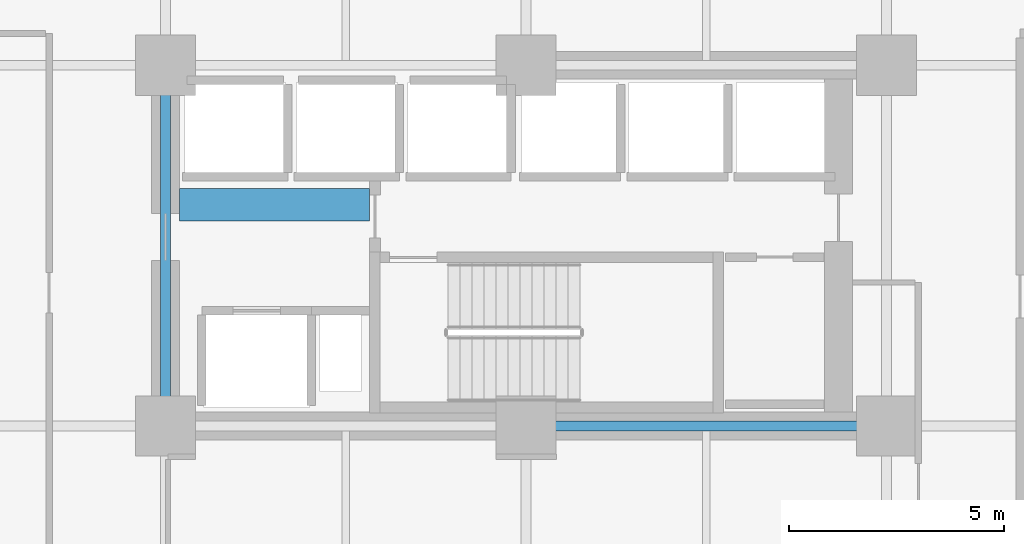
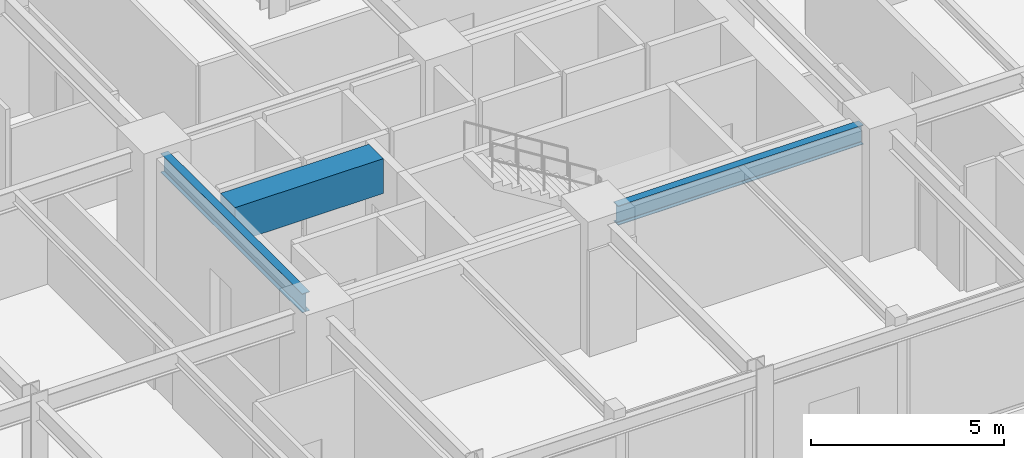
# One storey, part 5 of 24: 3 beams.
"""IFC4 building model written with IfcOpenShell, lengths in metres."""

from ifc_helpers import new_model, si_unit, direction, frame, origin, origin_2d, place, context, subcontext, project, spatial, rectangle, i_section, extrude, material, material_profile, profile_set, type_object, element, save


model = new_model("IFC4")

# Units and contexts
model_context = context("Model", 3, precision=1e-05, world=origin(), true_north=direction((0.0, 1.0)))
body_context = subcontext(model_context, "Body", "Model", "MODEL_VIEW")
ifc_project = project(units=[si_unit("LENGTHUNIT", "METRE"), si_unit("AREAUNIT", "SQUARE_METRE"), si_unit("VOLUMEUNIT", "CUBIC_METRE"), si_unit("PLANEANGLEUNIT", "RADIAN"), si_unit("MASSUNIT", "GRAM", prefix="KILO")], contexts=[model_context])

# Site, building, storey
site_placement = place(None, origin())
site = spatial("IfcSite", under=ifc_project, at=site_placement, CompositionType="ELEMENT")
building_placement = place(site_placement, origin())
building = spatial("IfcBuilding", under=site, at=building_placement, Name="Nerrivon Quay Data Exchange", CompositionType="ELEMENT")
storey_placement = place(building_placement, frame((0.0, 0.0, 33.199951171875)))
storey = spatial("IfcBuildingStorey", under=building, at=storey_placement, Name="L07", CompositionType="ELEMENT", Elevation=33.199951171875)

# Beams
ifc_material_1 = material(Name="Concrete S65 (65 MPa)", Category="concrete")
ifc_material_profile_1 = material_profile(ifc_material_1, rectangle(XDim=0.75, YDim=1.10009765625, at=origin_2d()), Name="RC-CB-750x1100")
ifc_profile_set_1 = profile_set([ifc_material_profile_1], Name="Concrete S65 (65 MPa)")
beam_type_1 = type_object("IfcBeamType", Name="BM-CB1-750x1100", PredefinedType="LINTEL", material=ifc_profile_set_1)
beam_1_placement = place(storey_placement, frame((17.125, 13.550048828125, 3.375), z_axis=(1.0, 0.0, 0.0), x_axis=(0.0, 1.0, 0.0)))
element("IfcBeam", 1, at=beam_1_placement, inside=storey, type_object=beam_type_1, Name="L07 East Core Coupling Beam", PredefinedType="LINTEL", context=body_context, shape_type="SweptSolid", body=[
    extrude(rectangle(XDim=0.75, YDim=1.10009765625, at=origin_2d()), origin(), (0.0, 0.0, 1.0), 4.429931640625),
])
ifc_material_2 = material(Name="Steel Grade 350", Category="steel")
ifc_material_profile_2 = material_profile(ifc_material_2, i_section(OverallWidth=0.22900390625, OverallDepth=0.612060546875, WebThickness=0.011962890625, FlangeThickness=0.01953125, FilletRadius=0.013916015625, at=origin_2d()), Name="610UB125")
ifc_profile_set_2 = profile_set([ifc_material_profile_2], Name="Steel Grade 350")
beam_type_2 = type_object("IfcBeamType", Name="BM-G1-610UB125", PredefinedType="BEAM", material=ifc_profile_set_2)
beam_2_placement = place(storey_placement, frame((25.739990234375, 8.39990234375, 3.619140625), z_axis=(1.0, 0.0, 0.0), x_axis=(0.0, 1.0, 0.0)))
element("IfcBeam", 2, at=beam_2_placement, inside=storey, type_object=beam_type_2, Name="L07 EW Girder Y=8.4 (25.2..33.6)", PredefinedType="BEAM", context=body_context, shape_type="SweptSolid", body=[
    extrude(i_section(OverallWidth=0.22900390625, OverallDepth=0.612060546875, WebThickness=0.011962890625, FlangeThickness=0.01953125, FilletRadius=0.013916015625, at=origin_2d()), origin(), (0.0, 0.0, 1.0), 7.320068359375),
])
ifc_material_profile_3 = material_profile(ifc_material_2, i_section(OverallWidth=0.22802734375, OverallDepth=0.60205078125, WebThickness=0.010498046875, FlangeThickness=0.014892578125, FilletRadius=0.013916015625, at=origin_2d()), Name="610UB101")
ifc_profile_set_3 = profile_set([ifc_material_profile_3], Name="Steel Grade 350")
beam_type_3 = type_object("IfcBeamType", Name="BM-G2-610UB101", PredefinedType="BEAM", material=ifc_profile_set_3)
beam_3_placement = place(storey_placement, frame((16.800048828125, 8.93994140625, 3.6240234375), z_axis=(0.0, 1.0, 0.0), x_axis=(-1.0, 0.0, 0.0)))
element("IfcBeam", 3, at=beam_3_placement, inside=storey, type_object=beam_type_3, Name="L07 NS Girder X=16.8 (8.4..16.8)", PredefinedType="BEAM", context=body_context, shape_type="SweptSolid", body=[
    extrude(i_section(OverallWidth=0.22802734375, OverallDepth=0.60205078125, WebThickness=0.010498046875, FlangeThickness=0.014892578125, FilletRadius=0.013916015625, at=origin_2d()), origin(), (0.0, 0.0, 1.0), 7.320068359375),
])

save(model, "model.ifc")
